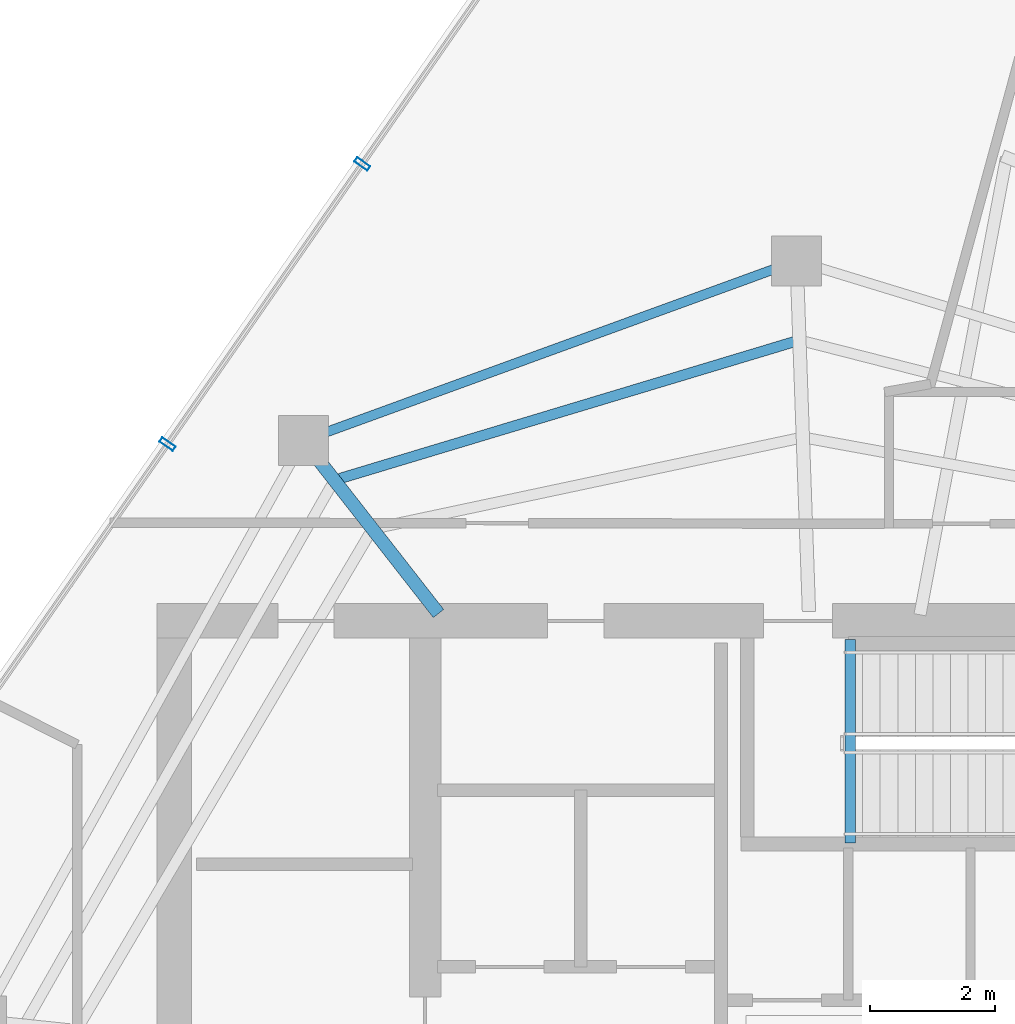
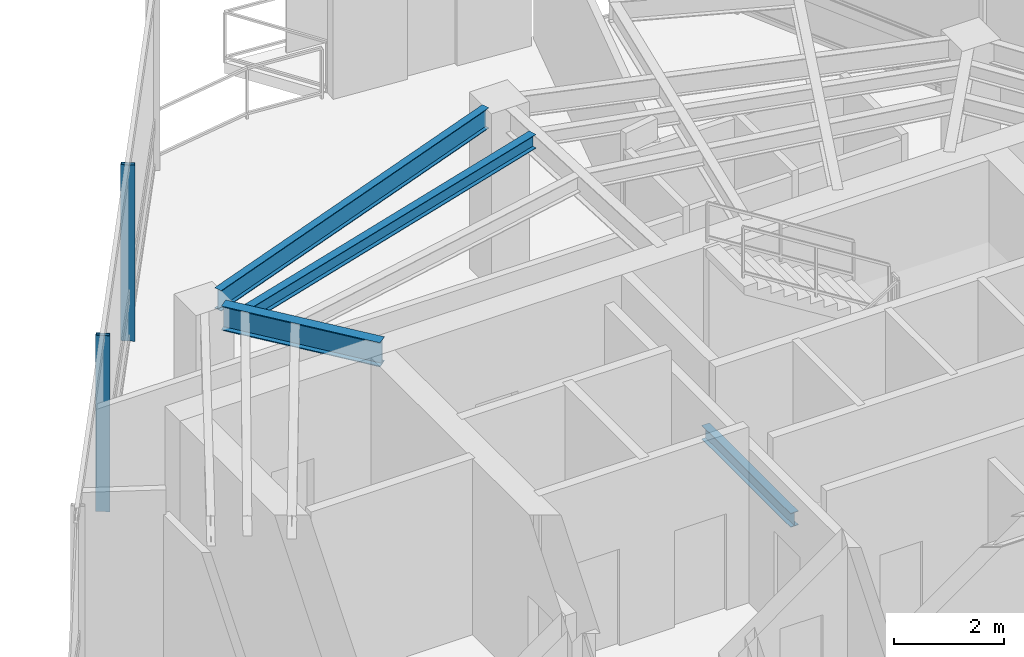
# One storey, part 8 of 19: 4 beams, 2 members, 1 element without a shape of its own.
"""IFC4 building model written with IfcOpenShell, lengths in metres."""

from ifc_helpers import new_model, si_unit, direction, frame, origin, origin_2d, place, context, subcontext, project, spatial, hollow_rectangle, i_section, extrude, material, layer, layer_set, material_profile, profile_set, type_object, element, aggregate, save


model = new_model("IFC4")

# Units and contexts
model_context = context("Model", 3, precision=1e-05, world=origin(), true_north=direction((0.0, 1.0)))
body_context = subcontext(model_context, "Body", "Model", "MODEL_VIEW")
ifc_project = project(units=[si_unit("LENGTHUNIT", "METRE"), si_unit("AREAUNIT", "SQUARE_METRE"), si_unit("VOLUMEUNIT", "CUBIC_METRE"), si_unit("PLANEANGLEUNIT", "RADIAN"), si_unit("MASSUNIT", "GRAM", prefix="KILO")], contexts=[model_context])

# Site, building, storey
site_placement = place(None, origin())
site = spatial("IfcSite", under=ifc_project, at=site_placement, CompositionType="ELEMENT")
building_placement = place(site_placement, origin())
building = spatial("IfcBuilding", under=site, at=building_placement, Name="Qarnah Convention Tower", CompositionType="ELEMENT")
storey_placement = place(building_placement, frame((0.0, 0.0, 275.10009765625)))
storey = spatial("IfcBuildingStorey", under=building, at=storey_placement, Name="L74", CompositionType="ELEMENT", Elevation=275.10009765625)

# Beams
ifc_material_1 = material(Name="Structural steel S355JR", Category="steel")
ifc_material_profile_1 = material_profile(ifc_material_1, i_section(OverallWidth=0.166015625, OverallDepth=0.31201171875, WebThickness=0.007080078125, FlangeThickness=0.010986328125, at=origin_2d()), Name="W310X45")
ifc_profile_set_1 = profile_set([ifc_material_profile_1], Name="Structural steel S355JR")
beam_type_1 = type_object("IfcBeamType", Name="BM-JST-W310", PredefinedType="JOIST", material=ifc_profile_set_1)
beam_1_placement = place(storey_placement, frame((37.5830078125, 30.659912109375, -0.156005859375), z_axis=(0.0, 1.0, 0.0), x_axis=(-1.0, 0.0, 0.0)))
element("IfcBeam", 1, at=beam_1_placement, inside=storey, type_object=beam_type_1, Name="L74 stair landing trimmer beam BM-L74-ST3-TRM", PredefinedType="BEAM", context=body_context, shape_type="SweptSolid", body=[
    extrude(i_section(OverallWidth=0.166015625, OverallDepth=0.31201171875, WebThickness=0.007080078125, FlangeThickness=0.010986328125, at=origin_2d()), origin(), (0.0, 0.0, 1.0), 3.239990234375),
])
beam_2_placement = place(storey_placement, frame((36.68505859375, 38.653076171875, 3.763916015625), z_axis=(-0.957523859176, -0.288354051661, 0.0), x_axis=(0.288354051661, -0.957523859176, 0.0)))
element("IfcBeam", 2, at=beam_2_placement, inside=storey, type_object=beam_type_1, Name="L74 joist BM-L74-SJST-03", PredefinedType="JOIST", context=body_context, shape_type="SweptSolid", body=[
    extrude(i_section(OverallWidth=0.166015625, OverallDepth=0.31201171875, WebThickness=0.007080078125, FlangeThickness=0.010986328125, at=origin_2d()), origin(), (0.0, 0.0, 1.0), 7.567626953125),
])
ifc_material_profile_2 = material_profile(ifc_material_1, i_section(OverallWidth=0.2119140625, OverallDepth=0.5400390625, WebThickness=0.011962890625, FlangeThickness=0.01904296875, at=origin_2d()), Name="W530X109")
ifc_profile_set_2 = profile_set([ifc_material_profile_2], Name="Structural steel S355JR")
beam_type_2 = type_object("IfcBeamType", Name="BM-RAD-W530A", PredefinedType="BEAM", material=ifc_profile_set_2)
beam_3_placement = place(storey_placement, frame((31.013916015625, 34.318115234375, 3.64990234375), z_axis=(-0.61549837076, 0.78813815768, 0.0), x_axis=(-0.78813815768, -0.61549837076, 0.0)))
element("IfcBeam", 3, at=beam_3_placement, inside=storey, type_object=beam_type_2, Name="L74 beam BM-L74-RAD-04", PredefinedType="BEAM", context=body_context, shape_type="SweptSolid", body=[
    extrude(i_section(OverallWidth=0.2119140625, OverallDepth=0.5400390625, WebThickness=0.011962890625, FlangeThickness=0.01904296875, at=origin_2d()), origin(), (0.0, 0.0, 1.0), 3.12255859375),
])
ifc_material_profile_3 = material_profile(ifc_material_1, i_section(OverallWidth=0.154052734375, OverallDepth=0.4599609375, WebThickness=0.009033203125, FlangeThickness=0.014892578125, at=origin_2d()), Name="W460X68")
ifc_profile_set_3 = profile_set([ifc_material_profile_3], Name="Structural steel S355JR")
beam_type_3 = type_object("IfcBeamType", Name="BM-SPN-W460B", PredefinedType="SPANDREL", material=ifc_profile_set_3)
beam_4_placement = place(storey_placement, frame((36.361083984375, 39.80908203125, 3.68994140625), z_axis=(-0.939671356419, -0.342078561044, 0.0), x_axis=(0.342078561044, -0.939671356419, 0.0)))
element("IfcBeam", 4, at=beam_4_placement, inside=storey, type_object=beam_type_3, Name="L74 spandrel BM-L74-SPN-03", PredefinedType="SPANDREL", context=body_context, shape_type="SweptSolid", body=[
    extrude(i_section(OverallWidth=0.154052734375, OverallDepth=0.4599609375, WebThickness=0.009033203125, FlangeThickness=0.014892578125, at=origin_2d()), origin(), (0.0, 0.0, 1.0), 7.59521484375),
])

# Curtain wall, members
ifc_material_2 = material(Name="Tempered Low-E dark glass", Category="glass")
ifc_layer = layer(ifc_material_2, 0.177978515625)
ifc_layer_set = layer_set([ifc_layer], Name="Tempered Low-E dark glass")
curtain_wall_type = type_object("IfcCurtainWallType", Name="CWS-06", PredefinedType="NOTDEFINED", material=ifc_layer_set)
curtain_wall_placement = place(storey_placement, origin())
curtain_wall = element("IfcCurtainWall", 5, at=curtain_wall_placement, inside=storey, type_object=curtain_wall_type, Name="L74 unitised curtain wall CW-L74-F3", PredefinedType="NOTDEFINED")
ifc_material_3 = material(Name="Black anodised aluminium", Category="aluminium")
ifc_material_profile_4 = material_profile(ifc_material_3, hollow_rectangle(XDim=0.0849609375, YDim=0.260009765625, WallThickness=0.006103515625, at=origin_2d()), Name="MUL-85X260")
ifc_profile_set_4 = profile_set([ifc_material_profile_4], Name="Black anodised aluminium")
member_type = type_object("IfcMemberType", Name="MUL-T6", PredefinedType="MULLION", material=ifc_profile_set_4)
member_1_placement = place(storey_placement, frame((26.6904296875, 37.01904296875, 0.0), z_axis=(0.0, 0.0, 1.0), x_axis=(0.570722123713, 0.821143262473, 0.0)))
member_1 = element("IfcMember", 6, at=member_1_placement, type_object=member_type, Name="CW-L74-F3 mullion 4", PredefinedType="MULLION", context=body_context, shape_type="SweptSolid", body=[
    extrude(hollow_rectangle(XDim=0.0849609375, YDim=0.260009765625, WallThickness=0.006103515625, at=origin_2d()), origin(), (0.0, 0.0, 1.0), 3.919921875),
])
member_2_placement = place(storey_placement, frame((29.797119140625, 41.489013671875, 0.0), z_axis=(0.0, 0.0, 1.0), x_axis=(0.570722123713, 0.821143262473, 0.0)))
member_2 = element("IfcMember", 7, at=member_2_placement, type_object=member_type, Name="CW-L74-F3 mullion 5", PredefinedType="MULLION", context=body_context, shape_type="SweptSolid", body=[
    extrude(hollow_rectangle(XDim=0.0849609375, YDim=0.260009765625, WallThickness=0.006103515625, at=origin_2d()), origin(), (0.0, 0.0, 1.0), 3.919921875),
])
aggregate(curtain_wall, [member_1, member_2])

save(model, "model.ifc")
